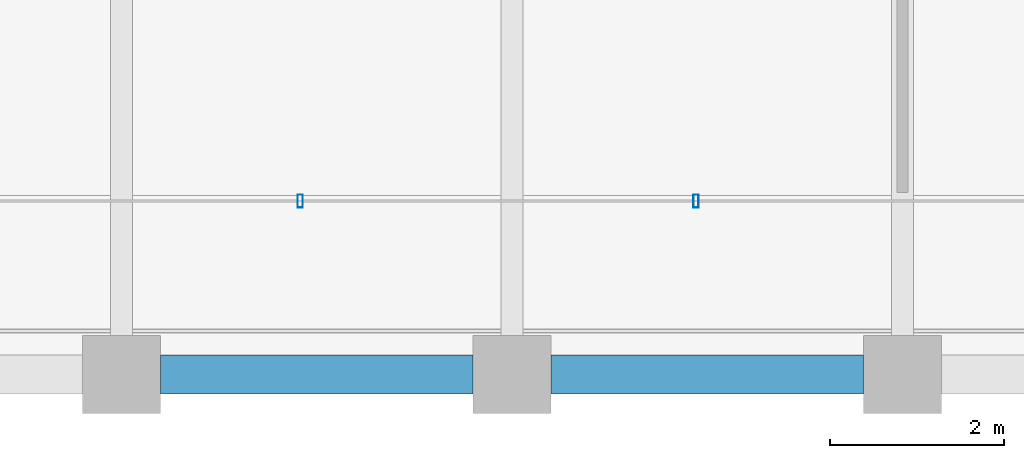
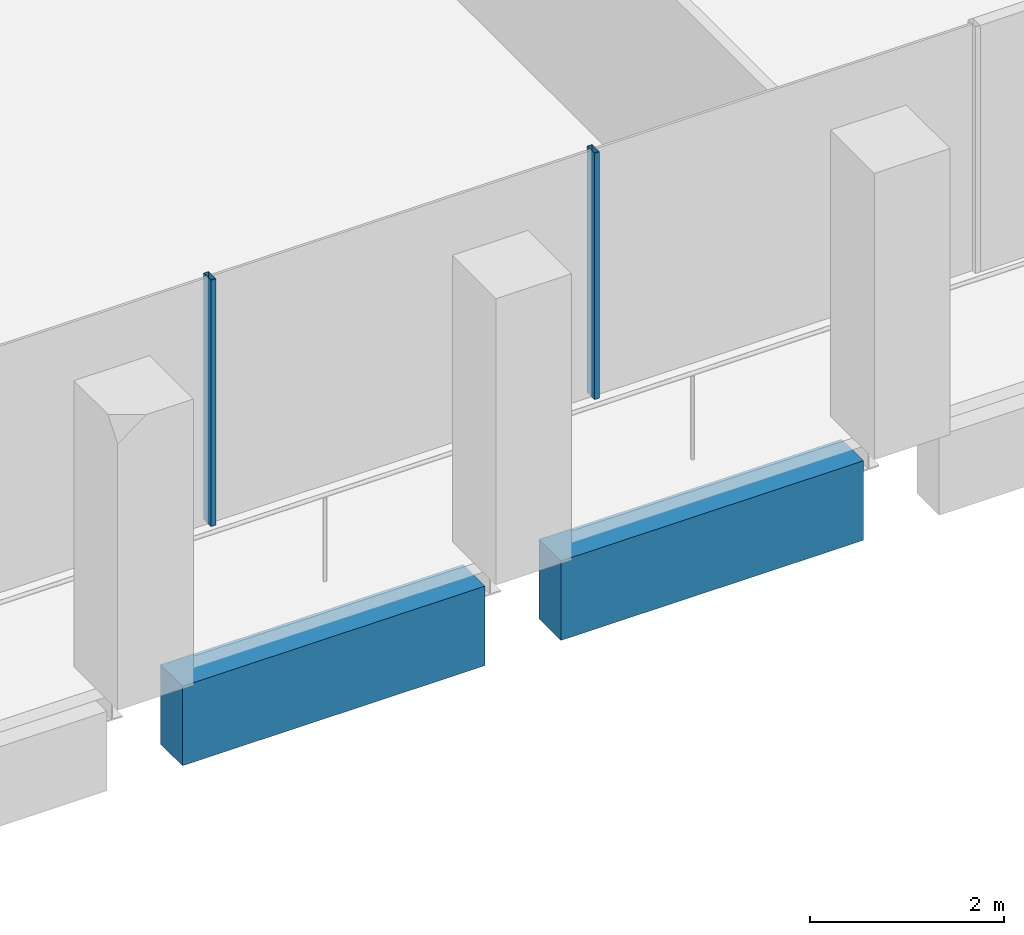
# One storey, part 3 of 40: 2 beams, 2 members, 1 element without a shape of its own.
"""IFC4 building model written with IfcOpenShell, lengths in metres."""

import ifcopenshell
import ifcopenshell.guid

model = None  # the IFC model being written
_history = None  # IfcOwnerHistory: only IFC2X3 demands one
_inside = {}  # id of a spatial element -> (the spatial element, [elements in it])
_under = {}  # id of a project, library or spatial element -> (it, [spatial elements below it])
_declared = {}  # id of a project -> (the project, [libraries it declares])
_typed = {}  # id of a type object -> (the type object, [elements of that type])
_made_of = {}  # id of a material, layer set ... -> (it, [elements and type objects made of it])


def new_model(schema):
    """Start an empty IFC model of exactly this schema.

    Asked for "IFC4X3", IfcOpenShell would pick the latest addendum, in which some entities
    have other attributes; the version numbers below select the first issue.
    IFC2X3 requires an IfcOwnerHistory on every rooted entity: one is made here for all.
    """
    global model, _history
    if schema == "IFC4X3":
        model = ifcopenshell.file(schema_version=(4, 3, 0, 0))
    else:
        model = ifcopenshell.file(schema=schema)
    _inside.clear()
    _under.clear()
    _declared.clear()
    _typed.clear()
    _made_of.clear()
    _history = None
    if model.schema == "IFC2X3":
        org = make("IfcOrganization", Name="unknown")
        user = make(
            "IfcPersonAndOrganization",
            ThePerson=make("IfcPerson", FamilyName="unknown"),
            TheOrganization=org,
        )
        app = make(
            "IfcApplication",
            ApplicationDeveloper=org,
            Version="unknown",
            ApplicationFullName="unknown",
            ApplicationIdentifier="unknown",
        )
        _history = make(
            "IfcOwnerHistory",
            OwningUser=user,
            OwningApplication=app,
            ChangeAction="ADDED",
            CreationDate=0,
        )
    return model


def make(cls, **values):
    """One entity of the class cls with the attributes given. An attribute that is None is left unset."""
    return model.create_entity(
        cls, **{name: value for name, value in values.items() if value is not None}
    )


def rooted(cls, **values):
    """An entity with a GlobalId (a new one), such as an element, a storey or a relation."""
    return make(cls, GlobalId=ifcopenshell.guid.new(), OwnerHistory=_history, **values)


def si_unit(unit_type, name, prefix=None):
    """IfcSIUnit, for example si_unit("LENGTHUNIT", "METRE", prefix="MILLI")."""
    return make("IfcSIUnit", UnitType=unit_type, Prefix=prefix, Name=name)


def assignment(units):
    """IfcUnitAssignment: the units of a project."""
    return None if units is None else make("IfcUnitAssignment", Units=units)


def point(xyz):
    """IfcCartesianPoint."""
    return None if xyz is None else make("IfcCartesianPoint", Coordinates=xyz)


def direction(xyz):
    """IfcDirection."""
    return None if xyz is None else make("IfcDirection", DirectionRatios=xyz)


def frame(location, z_axis=None, x_axis=None):
    """IfcAxis2Placement3D, a coordinate frame: its origin and axes. An axis left out is left unset."""
    return make(
        "IfcAxis2Placement3D",
        Location=point(location),
        Axis=direction(z_axis),
        RefDirection=direction(x_axis),
    )


def frame_2d(location, x_axis=None):
    """IfcAxis2Placement2D, a coordinate frame in the plane: its origin and x axis."""
    return make(
        "IfcAxis2Placement2D", Location=point(location), RefDirection=direction(x_axis)
    )


def origin():
    """The frame at (0, 0, 0) with its axes left unset."""
    return frame((0.0, 0.0, 0.0))


def origin_2d():
    """The frame at (0, 0) in the plane with its x axis left unset."""
    return frame_2d((0.0, 0.0))


def place(relative_to, where):
    """IfcLocalPlacement: puts the frame where relative to a parent placement (None: the world)."""
    return make(
        "IfcLocalPlacement", PlacementRelTo=relative_to, RelativePlacement=where
    )


def context(
    kind, dimensions, precision=None, world=None, true_north=None, identifier=None
):
    """IfcGeometricRepresentationContext, for example the 3D "Model" context."""
    return make(
        "IfcGeometricRepresentationContext",
        ContextIdentifier=identifier,
        ContextType=kind,
        CoordinateSpaceDimension=dimensions,
        Precision=precision,
        WorldCoordinateSystem=world,
        TrueNorth=true_north,
    )


def subcontext(parent, identifier, kind, view, scale=None):
    """IfcGeometricRepresentationSubContext, for example "Body" below "Model"."""
    return make(
        "IfcGeometricRepresentationSubContext",
        ContextIdentifier=identifier,
        ContextType=kind,
        ParentContext=parent,
        TargetScale=scale,
        TargetView=view,
    )


def project(units=None, contexts=None):
    """IfcProject with its units and contexts."""
    return rooted(
        "IfcProject",
        Name="project",
        RepresentationContexts=contexts,
        UnitsInContext=assignment(units),
    )


def spatial(cls, under=None, at=None, **own):
    """A site, building, storey or space (cls), placed at a placement, below another one or the project."""
    s = rooted(cls, ObjectPlacement=at, **own)
    if under is not None:
        _under.setdefault(under.id(), (under, []))[1].append(s)
    return s


def profile(cls, at=None, kind="AREA", **sizes):
    """A parametric profile (cls). Its sizes go by their IFC names, for example OverallWidth=200.0."""
    return make(cls, ProfileType=kind, Position=at, **sizes)


def rectangle(**sizes):
    """IfcRectangleProfileDef."""
    return profile("IfcRectangleProfileDef", **sizes)


def hollow_rectangle(**sizes):
    """IfcRectangleHollowProfileDef."""
    return profile("IfcRectangleHollowProfileDef", **sizes)


def extrude(swept, where, along, depth):
    """IfcExtrudedAreaSolid: the profile swept, set in the frame where, extruded along a direction by depth."""
    return make(
        "IfcExtrudedAreaSolid",
        SweptArea=swept,
        Position=where,
        ExtrudedDirection=direction(along),
        Depth=depth,
    )


def shape(context_of_items, identifier, shape_type, items):
    """IfcShapeRepresentation: the items that make up one representation, for example the "Body"."""
    return make(
        "IfcShapeRepresentation",
        ContextOfItems=context_of_items,
        RepresentationIdentifier=identifier,
        RepresentationType=shape_type,
        Items=items,
    )


def material(Name=None, Category=None):
    """IfcMaterial."""
    return make("IfcMaterial", Name=Name, Category=Category)


def material_profile(
    of_material, cross_section, Name=None, Category=None, Priority=None
):
    """IfcMaterialProfile: a cross section and its material."""
    return make(
        "IfcMaterialProfile",
        Name=Name,
        Material=of_material,
        Profile=cross_section,
        Priority=Priority,
        Category=Category,
    )


def profile_set(profiles, Name=None, composite=None):
    """IfcMaterialProfileSet."""
    return make(
        "IfcMaterialProfileSet",
        Name=Name,
        MaterialProfiles=profiles,
        CompositeProfile=composite,
    )


def made_of(thing, what):
    """Note that an element or type object is made of a material, layer set ...; save() writes the relation."""
    if what is not None:
        _made_of.setdefault(what.id(), (what, []))[1].append(thing)
    return thing


def type_object(cls, material=None, **own):
    """A type object (cls), such as IfcWallType, which elements share."""
    return made_of(rooted(cls, **own), material)


def element(
    cls,
    number,
    at=None,
    inside=None,
    cuts=None,
    type_object=None,
    material=None,
    context=None,
    identifier="Body",
    shape_type=None,
    held_by="IfcProductDefinitionShape",
    body=None,
    shapes=None,
    **own,
):
    """One element of the class cls, such as IfcWall. Its Tag is "e" and its number.

    at: its placement. inside: the storey or other place that contains it. cuts: it is an
    opening in that element (IfcRelVoidsElement). A single representation is given by context,
    identifier, shape_type and body (its items); several are given by shapes. held_by: the class
    of the entity that holds the representations. save() writes the other relations.
    """
    e = rooted(cls, Tag="e%d" % number, ObjectPlacement=at, **own)
    if body is not None:
        shapes = [shape(context, identifier, shape_type, body)]
    if shapes is not None:
        e.Representation = make(held_by, Representations=shapes)
    if inside is not None:
        _inside.setdefault(inside.id(), (inside, []))[1].append(e)
    if cuts is not None:
        rooted(
            "IfcRelVoidsElement", RelatingBuildingElement=cuts, RelatedOpeningElement=e
        )
    if type_object is not None:
        _typed.setdefault(type_object.id(), (type_object, []))[1].append(e)
    return made_of(e, material)


def aggregate(whole, parts):
    """IfcRelAggregates: a whole, such as a stair, and the parts it consists of."""
    return rooted("IfcRelAggregates", RelatingObject=whole, RelatedObjects=parts)


def save(model, path):
    """Write the relations noted so far, then the file.

    IfcRelAggregates (storeys below a building ...), IfcRelContainedInSpatialStructure (elements
    in a storey), IfcRelDefinesByType, IfcRelAssociatesMaterial and IfcRelDeclares: one each for
    every whole, place, type object, material and project.
    """
    for whole, parts in _under.values():
        aggregate(whole, parts)
    for where, things in _inside.values():
        rooted(
            "IfcRelContainedInSpatialStructure",
            RelatedElements=things,
            RelatingStructure=where,
        )
    for kind, things in _typed.values():
        rooted("IfcRelDefinesByType", RelatedObjects=things, RelatingType=kind)
    for what, things in _made_of.values():
        rooted("IfcRelAssociatesMaterial", RelatedObjects=things, RelatingMaterial=what)
    for by, libraries in _declared.values():
        rooted("IfcRelDeclares", RelatingContext=by, RelatedDefinitions=libraries)
    model.write(path)


model = new_model("IFC4")

# Units and contexts
model_context = context("Model", 3, precision=1e-05, world=origin(), true_north=direction((0.0, 1.0)))
body_context = subcontext(model_context, "Body", "Model", "MODEL_VIEW")
ifc_project = project(units=[si_unit("LENGTHUNIT", "METRE"), si_unit("AREAUNIT", "SQUARE_METRE"), si_unit("VOLUMEUNIT", "CUBIC_METRE"), si_unit("PLANEANGLEUNIT", "RADIAN"), si_unit("MASSUNIT", "GRAM", prefix="KILO")], contexts=[model_context])

# Site, building, storey
site_placement = place(None, origin())
site = spatial("IfcSite", under=ifc_project, at=site_placement, CompositionType="ELEMENT")
building_placement = place(site_placement, origin())
building = spatial("IfcBuilding", under=site, at=building_placement, Name="Altepetl Exchange Towers", CompositionType="ELEMENT")
storey_placement = place(building_placement, frame((0.0, 0.0, 172.60009765625)))
storey = spatial("IfcBuildingStorey", under=building, at=storey_placement, Name="L43", CompositionType="ELEMENT", Elevation=172.60009765625)

# Curtain wall, members
ifc_material_1 = material(Name="Aluminium 6063-T6 glazing", Category="aluminium")
curtain_wall_type = type_object("IfcCurtainWallType", Name="Loggia glazing system", PredefinedType="NOTDEFINED", material=ifc_material_1)
curtain_wall_placement = place(storey_placement, origin())
curtain_wall = element("IfcCurtainWall", 1, at=curtain_wall_placement, inside=storey, type_object=curtain_wall_type, Name="CW1 run", PredefinedType="NOTDEFINED")
ifc_material_2 = material(Name="Aluminium 6063-T6", Category="aluminium")
ifc_material_profile_1 = material_profile(ifc_material_2, hollow_rectangle(XDim=0.06005859375, YDim=0.14990234375, WallThickness=0.0029296875, at=origin_2d()), Name="Mullion 60x150 aluminium")
ifc_profile_set_1 = profile_set([ifc_material_profile_1], Name="Aluminium 6063-T6")
member_type = type_object("IfcMemberType", Name="Mullion 60x150 aluminium", PredefinedType="MULLION", material=ifc_profile_set_1)
member_1_placement = place(storey_placement, frame((38.060791015625, 29.0, 0.0)))
member_1 = element("IfcMember", 2, at=member_1_placement, type_object=member_type, Name="MU1 mullion", PredefinedType="MULLION", context=body_context, shape_type="SweptSolid", body=[
    extrude(hollow_rectangle(XDim=0.06005859375, YDim=0.14990234375, WallThickness=0.0029296875, at=origin_2d()), origin(), (0.0, 0.0, 1.0), 3.099853515625),
])
member_2_placement = place(storey_placement, frame((42.621337890625, 29.0, 0.0)))
member_2 = element("IfcMember", 3, at=member_2_placement, type_object=member_type, Name="MU1 mullion", PredefinedType="MULLION", context=body_context, shape_type="SweptSolid", body=[
    extrude(hollow_rectangle(XDim=0.06005859375, YDim=0.14990234375, WallThickness=0.0029296875, at=origin_2d()), origin(), (0.0, 0.0, 1.0), 3.099853515625),
])
aggregate(curtain_wall, [member_1, member_2])

# Beams
ifc_material_3 = material(Name="Concrete C50/60 precast with cantera blanca facing", Category="concrete")
ifc_material_profile_2 = material_profile(ifc_material_3, rectangle(XDim=0.449951171875, YDim=1.0, at=origin_2d()), Name="450 x 1000")
ifc_profile_set_2 = profile_set([ifc_material_profile_2], Name="Concrete C50/60 precast with cantera blanca facing")
beam_type = type_object("IfcBeamType", Name="Spandrel beam 450x1000 cantera blanca", PredefinedType="SPANDREL", material=ifc_profile_set_2)
for number, where, z_axis, x_axis, name in (
    (4, (36.449951171875, 27.0, -0.650146484375), (1.0, 0.0, 0.0), (0.0, 1.0, 0.0), "sp:A:L43:001"),
    (5, (40.949951171875, 27.0, -0.650146484375), (1.0, 0.0, 0.0), (0.0, 1.0, 0.0), "sp:A:L43:002"),
):
    element("IfcBeam", number, at=place(storey_placement, frame(where, z_axis=z_axis, x_axis=x_axis)), inside=storey, type_object=beam_type, Name=name, PredefinedType="SPANDREL", context=body_context, shape_type="SweptSolid", body=[
        extrude(rectangle(XDim=0.449951171875, YDim=1.0, at=origin_2d()), origin(), (0.0, 0.0, 1.0), 3.60009765625),
    ])

save(model, "model.ifc")
